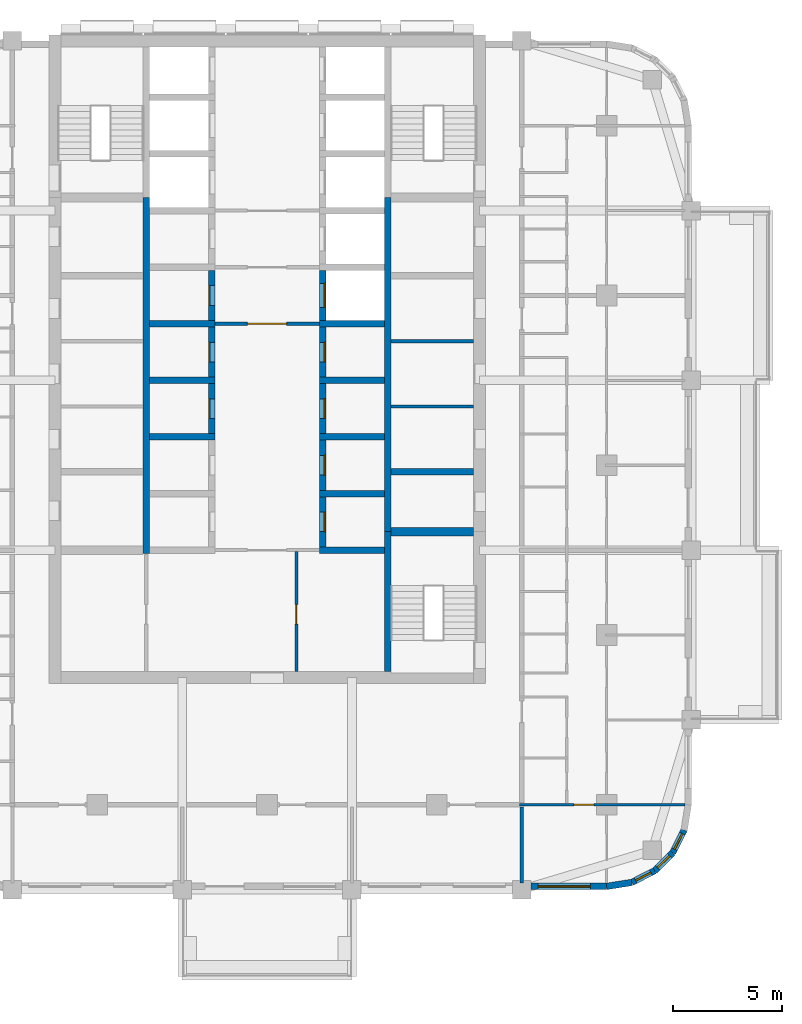
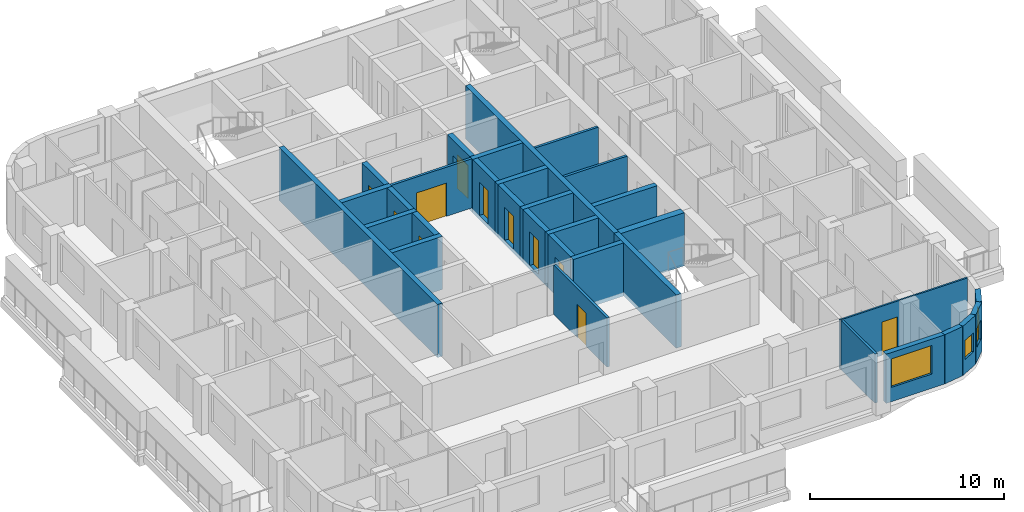
# One storey, part 5 of 14: 32 walls, 11 doors, 4 windows, 15 openings.
"""IFC4 building model written with IfcOpenShell, lengths in metres."""

import ifcopenshell
import ifcopenshell.guid

model = None  # the IFC model being written
_history = None  # IfcOwnerHistory: only IFC2X3 demands one
_inside = {}  # id of a spatial element -> (the spatial element, [elements in it])
_under = {}  # id of a project, library or spatial element -> (it, [spatial elements below it])
_declared = {}  # id of a project -> (the project, [libraries it declares])
_typed = {}  # id of a type object -> (the type object, [elements of that type])
_made_of = {}  # id of a material, layer set ... -> (it, [elements and type objects made of it])


def new_model(schema):
    """Start an empty IFC model of exactly this schema.

    Asked for "IFC4X3", IfcOpenShell would pick the latest addendum, in which some entities
    have other attributes; the version numbers below select the first issue.
    IFC2X3 requires an IfcOwnerHistory on every rooted entity: one is made here for all.
    """
    global model, _history
    if schema == "IFC4X3":
        model = ifcopenshell.file(schema_version=(4, 3, 0, 0))
    else:
        model = ifcopenshell.file(schema=schema)
    _inside.clear()
    _under.clear()
    _declared.clear()
    _typed.clear()
    _made_of.clear()
    _history = None
    if model.schema == "IFC2X3":
        org = make("IfcOrganization", Name="unknown")
        user = make(
            "IfcPersonAndOrganization",
            ThePerson=make("IfcPerson", FamilyName="unknown"),
            TheOrganization=org,
        )
        app = make(
            "IfcApplication",
            ApplicationDeveloper=org,
            Version="unknown",
            ApplicationFullName="unknown",
            ApplicationIdentifier="unknown",
        )
        _history = make(
            "IfcOwnerHistory",
            OwningUser=user,
            OwningApplication=app,
            ChangeAction="ADDED",
            CreationDate=0,
        )
    return model


def make(cls, **values):
    """One entity of the class cls with the attributes given. An attribute that is None is left unset."""
    return model.create_entity(
        cls, **{name: value for name, value in values.items() if value is not None}
    )


def rooted(cls, **values):
    """An entity with a GlobalId (a new one), such as an element, a storey or a relation."""
    return make(cls, GlobalId=ifcopenshell.guid.new(), OwnerHistory=_history, **values)


def si_unit(unit_type, name, prefix=None):
    """IfcSIUnit, for example si_unit("LENGTHUNIT", "METRE", prefix="MILLI")."""
    return make("IfcSIUnit", UnitType=unit_type, Prefix=prefix, Name=name)


def assignment(units):
    """IfcUnitAssignment: the units of a project."""
    return None if units is None else make("IfcUnitAssignment", Units=units)


def point(xyz):
    """IfcCartesianPoint."""
    return None if xyz is None else make("IfcCartesianPoint", Coordinates=xyz)


def direction(xyz):
    """IfcDirection."""
    return None if xyz is None else make("IfcDirection", DirectionRatios=xyz)


def frame(location, z_axis=None, x_axis=None):
    """IfcAxis2Placement3D, a coordinate frame: its origin and axes. An axis left out is left unset."""
    return make(
        "IfcAxis2Placement3D",
        Location=point(location),
        Axis=direction(z_axis),
        RefDirection=direction(x_axis),
    )


def frame_2d(location, x_axis=None):
    """IfcAxis2Placement2D, a coordinate frame in the plane: its origin and x axis."""
    return make(
        "IfcAxis2Placement2D", Location=point(location), RefDirection=direction(x_axis)
    )


def origin():
    """The frame at (0, 0, 0) with its axes left unset."""
    return frame((0.0, 0.0, 0.0))


def place(relative_to, where):
    """IfcLocalPlacement: puts the frame where relative to a parent placement (None: the world)."""
    return make(
        "IfcLocalPlacement", PlacementRelTo=relative_to, RelativePlacement=where
    )


def context(
    kind, dimensions, precision=None, world=None, true_north=None, identifier=None
):
    """IfcGeometricRepresentationContext, for example the 3D "Model" context."""
    return make(
        "IfcGeometricRepresentationContext",
        ContextIdentifier=identifier,
        ContextType=kind,
        CoordinateSpaceDimension=dimensions,
        Precision=precision,
        WorldCoordinateSystem=world,
        TrueNorth=true_north,
    )


def subcontext(parent, identifier, kind, view, scale=None):
    """IfcGeometricRepresentationSubContext, for example "Body" below "Model"."""
    return make(
        "IfcGeometricRepresentationSubContext",
        ContextIdentifier=identifier,
        ContextType=kind,
        ParentContext=parent,
        TargetScale=scale,
        TargetView=view,
    )


def project(units=None, contexts=None):
    """IfcProject with its units and contexts."""
    return rooted(
        "IfcProject",
        Name="project",
        RepresentationContexts=contexts,
        UnitsInContext=assignment(units),
    )


def spatial(cls, under=None, at=None, **own):
    """A site, building, storey or space (cls), placed at a placement, below another one or the project."""
    s = rooted(cls, ObjectPlacement=at, **own)
    if under is not None:
        _under.setdefault(under.id(), (under, []))[1].append(s)
    return s


def profile(cls, at=None, kind="AREA", **sizes):
    """A parametric profile (cls). Its sizes go by their IFC names, for example OverallWidth=200.0."""
    return make(cls, ProfileType=kind, Position=at, **sizes)


def rectangle(**sizes):
    """IfcRectangleProfileDef."""
    return profile("IfcRectangleProfileDef", **sizes)


def extrude(swept, where, along, depth):
    """IfcExtrudedAreaSolid: the profile swept, set in the frame where, extruded along a direction by depth."""
    return make(
        "IfcExtrudedAreaSolid",
        SweptArea=swept,
        Position=where,
        ExtrudedDirection=direction(along),
        Depth=depth,
    )


def shape(context_of_items, identifier, shape_type, items):
    """IfcShapeRepresentation: the items that make up one representation, for example the "Body"."""
    return make(
        "IfcShapeRepresentation",
        ContextOfItems=context_of_items,
        RepresentationIdentifier=identifier,
        RepresentationType=shape_type,
        Items=items,
    )


def material(Name=None, Category=None):
    """IfcMaterial."""
    return make("IfcMaterial", Name=Name, Category=Category)


def layer(
    of_material, thickness, ventilated=None, Name=None, Category=None, Priority=None
):
    """IfcMaterialLayer: one layer of a wall or slab, of a material (None: an air gap)."""
    return make(
        "IfcMaterialLayer",
        Material=of_material,
        LayerThickness=thickness,
        IsVentilated=ventilated,
        Name=Name,
        Category=Category,
        Priority=Priority,
    )


def layer_set(layers, Name=None):
    """IfcMaterialLayerSet."""
    return make("IfcMaterialLayerSet", MaterialLayers=layers, LayerSetName=Name)


def made_of(thing, what):
    """Note that an element or type object is made of a material, layer set ...; save() writes the relation."""
    if what is not None:
        _made_of.setdefault(what.id(), (what, []))[1].append(thing)
    return thing


def type_object(cls, material=None, **own):
    """A type object (cls), such as IfcWallType, which elements share."""
    return made_of(rooted(cls, **own), material)


def element(
    cls,
    number,
    at=None,
    inside=None,
    cuts=None,
    type_object=None,
    material=None,
    context=None,
    identifier="Body",
    shape_type=None,
    held_by="IfcProductDefinitionShape",
    body=None,
    shapes=None,
    **own,
):
    """One element of the class cls, such as IfcWall. Its Tag is "e" and its number.

    at: its placement. inside: the storey or other place that contains it. cuts: it is an
    opening in that element (IfcRelVoidsElement). A single representation is given by context,
    identifier, shape_type and body (its items); several are given by shapes. held_by: the class
    of the entity that holds the representations. save() writes the other relations.
    """
    e = rooted(cls, Tag="e%d" % number, ObjectPlacement=at, **own)
    if body is not None:
        shapes = [shape(context, identifier, shape_type, body)]
    if shapes is not None:
        e.Representation = make(held_by, Representations=shapes)
    if inside is not None:
        _inside.setdefault(inside.id(), (inside, []))[1].append(e)
    if cuts is not None:
        rooted(
            "IfcRelVoidsElement", RelatingBuildingElement=cuts, RelatedOpeningElement=e
        )
    if type_object is not None:
        _typed.setdefault(type_object.id(), (type_object, []))[1].append(e)
    return made_of(e, material)


def fill(opening, filler):
    """IfcRelFillsElement: the door or window that sits in an opening."""
    return rooted(
        "IfcRelFillsElement",
        RelatingOpeningElement=opening,
        RelatedBuildingElement=filler,
    )


def aggregate(whole, parts):
    """IfcRelAggregates: a whole, such as a stair, and the parts it consists of."""
    return rooted("IfcRelAggregates", RelatingObject=whole, RelatedObjects=parts)


def save(model, path):
    """Write the relations noted so far, then the file.

    IfcRelAggregates (storeys below a building ...), IfcRelContainedInSpatialStructure (elements
    in a storey), IfcRelDefinesByType, IfcRelAssociatesMaterial and IfcRelDeclares: one each for
    every whole, place, type object, material and project.
    """
    for whole, parts in _under.values():
        aggregate(whole, parts)
    for where, things in _inside.values():
        rooted(
            "IfcRelContainedInSpatialStructure",
            RelatedElements=things,
            RelatingStructure=where,
        )
    for kind, things in _typed.values():
        rooted("IfcRelDefinesByType", RelatedObjects=things, RelatingType=kind)
    for what, things in _made_of.values():
        rooted("IfcRelAssociatesMaterial", RelatedObjects=things, RelatingMaterial=what)
    for by, libraries in _declared.values():
        rooted("IfcRelDeclares", RelatingContext=by, RelatedDefinitions=libraries)
    model.write(path)


model = new_model("IFC4")

# Units and contexts
model_context = context("Model", 3, precision=1e-05, world=origin(), true_north=direction((0.0, 1.0)))
body_context = subcontext(model_context, "Body", "Model", "MODEL_VIEW")
ifc_project = project(units=[si_unit("LENGTHUNIT", "METRE"), si_unit("AREAUNIT", "SQUARE_METRE"), si_unit("VOLUMEUNIT", "CUBIC_METRE"), si_unit("PLANEANGLEUNIT", "RADIAN"), si_unit("MASSUNIT", "GRAM", prefix="KILO")], contexts=[model_context])

# Site, building, storey
site_placement = place(None, origin())
site = spatial("IfcSite", under=ifc_project, at=site_placement, CompositionType="ELEMENT")
building_placement = place(site_placement, origin())
building = spatial("IfcBuilding", under=site, at=building_placement, Name="Ludao Terraces", CompositionType="ELEMENT")
storey_placement = place(building_placement, frame((0.0, 0.0, 140.699951171875)))
storey = spatial("IfcBuildingStorey", under=building, at=storey_placement, Name="L38", CompositionType="ELEMENT", Elevation=140.699951171875)

# Wall, opening, window
ifc_material_1 = material(Name="Granite cladding", Category="masonry")
ifc_layer_1 = layer(ifc_material_1, 0.0400390625, Category="stone")
ifc_material_2 = material(Name="Mineral wool")
ifc_layer_2 = layer(ifc_material_2, 0.06005859375)
ifc_material_3 = material(Name="Concrete C40", Category="concrete")
ifc_layer_3 = layer(ifc_material_3, 0.199951171875, Category="concrete")
ifc_layer_set_1 = layer_set([ifc_layer_1, ifc_layer_2, ifc_layer_3], Name="ENV Stone-clad wall 300")
wall_type_1 = type_object("IfcWallType", Name="ENV Stone-clad wall 300", PredefinedType="SOLIDWALL", material=ifc_layer_set_1)
wall_1_placement = place(storey_placement, frame((97.125, 45.64990234375, 0.0), z_axis=(0.0, 0.0, 1.0), x_axis=(1.0, 0.0, 0.0)))
wall_1 = element("IfcWall", 1, at=wall_1_placement, inside=storey, type_object=wall_type_1, Name="EW-L38-S5", PredefinedType="SOLIDWALL", context=body_context, shape_type="SweptSolid", body=[
    extrude(rectangle(XDim=3.47509765625, YDim=0.300048828125, at=frame_2d((1.737548828125, 0.0))), origin(), (0.0, 0.0, 1.0), 3.10009765625),
])
opening_1_placement = place(wall_1_placement, frame((0.324951171875, 0.0, 0.89990234375)))
opening_1 = element("IfcOpeningElement", 2, at=opening_1_placement, cuts=wall_1, Name="Opening W1", PredefinedType="OPENING", context=body_context, shape_type="SweptSolid", body=[
    extrude(rectangle(XDim=2.39990234375, YDim=1.800048828125, at=frame_2d((1.199951171875, 0.89990234375))), frame((0.0, 0.16015625, 0.0), z_axis=(0.0, -1.0, 0.0), x_axis=(1.0, 0.0, 0.0)), (0.0, 0.0, 1.0), 0.320068359375),
])
ifc_material_4 = material(Name="Clear glass in aluminium frame", Category="aluminium")
ifc_layer_4 = layer(ifc_material_4, 0.06005859375)
ifc_layer_set_2 = layer_set([ifc_layer_4], Name="ENV Window W1 2400x1800")
window_type_1 = type_object("IfcWindowType", Name="ENV Window W1 2400x1800", PartitioningType="DOUBLE_PANEL_VERTICAL", PredefinedType="WINDOW", material=ifc_layer_set_2)
window_1_placement = place(opening_1_placement, origin())
window_1 = element("IfcWindow", 3, at=window_1_placement, inside=storey, type_object=window_type_1, Name="W-L38-S5-1", OverallHeight=1.800048828125, OverallWidth=2.39990234375, PartitioningType="DOUBLE_PANEL_VERTICAL", PredefinedType="WINDOW", context=body_context, shape_type="SweptSolid", body=[
    extrude(rectangle(XDim=2.39990234375, YDim=1.800048828125, at=frame_2d((1.199951171875, 0.89990234375))), frame((0.0, 0.030029296875, 0.0), z_axis=(0.0, -1.0, 0.0), x_axis=(1.0, 0.0, 0.0)), (0.0, 0.0, 1.0), 0.06005859375),
])
fill(opening_1, window_1)

# Wall
wall_2_placement = place(storey_placement, frame((100.60009765625, 45.64990234375, 0.0), z_axis=(0.0, 0.0, 1.0), x_axis=(0.987678452879, 0.156496880861, 0.0)))
element("IfcWall", 4, at=wall_2_placement, inside=storey, type_object=wall_type_1, Name="EW-L38-SE1", PredefinedType="SOLIDWALL", context=body_context, shape_type="SweptSolid", body=[
    extrude(rectangle(XDim=1.173095703125, YDim=0.300048828125, at=frame_2d((0.58642578125, 0.0))), origin(), (0.0, 0.0, 1.0), 3.10009765625),
])

# Wall, opening, window
wall_3_placement = place(storey_placement, frame((101.7587890625, 45.83349609375, 0.0), z_axis=(0.0, 0.0, 1.0), x_axis=(0.890988677504, 0.454025524128, 0.0)))
wall_3 = element("IfcWall", 5, at=wall_3_placement, inside=storey, type_object=wall_type_1, Name="EW-L38-SE2", PredefinedType="SOLIDWALL", context=body_context, shape_type="SweptSolid", body=[
    extrude(rectangle(XDim=1.17333984375, YDim=0.300048828125, at=frame_2d((0.586669921875, 0.0))), origin(), (0.0, 0.0, 1.0), 3.10009765625),
])
opening_2_placement = place(wall_3_placement, frame((0.1865234375, 0.0, 0.89990234375)))
opening_2 = element("IfcOpeningElement", 6, at=opening_2_placement, cuts=wall_3, Name="Opening W3", PredefinedType="OPENING", context=body_context, shape_type="SweptSolid", body=[
    extrude(rectangle(XDim=0.800048828125, YDim=1.199951171875, at=frame_2d((0.39990234375, 0.60009765625))), frame((0.0, 0.16015625, 0.0), z_axis=(0.0, -1.0, 0.0), x_axis=(1.0, 0.0, 0.0)), (0.0, 0.0, 1.0), 0.320068359375),
])
ifc_layer_5 = layer(ifc_material_4, 0.06005859375)
ifc_layer_set_3 = layer_set([ifc_layer_5], Name="ENV Window W3 800x1200")
window_type_2 = type_object("IfcWindowType", Name="ENV Window W3 800x1200", PartitioningType="SINGLE_PANEL", PredefinedType="WINDOW", material=ifc_layer_set_3)
window_2_placement = place(opening_2_placement, origin())
window_2 = element("IfcWindow", 7, at=window_2_placement, inside=storey, type_object=window_type_2, Name="W-L38-SE2", OverallHeight=1.199951171875, OverallWidth=0.800048828125, PartitioningType="SINGLE_PANEL", PredefinedType="WINDOW", context=body_context, shape_type="SweptSolid", body=[
    extrude(rectangle(XDim=0.800048828125, YDim=1.199951171875, at=frame_2d((0.39990234375, 0.60009765625))), frame((0.0, 0.030029296875, 0.0), z_axis=(0.0, -1.0, 0.0), x_axis=(1.0, 0.0, 0.0)), (0.0, 0.0, 1.0), 0.06005859375),
])
fill(opening_2, window_2)

wall_4_placement = place(storey_placement, frame((102.80419921875, 46.3662109375, 0.0), z_axis=(0.0, 0.0, 1.0), x_axis=(0.707106781187, 0.707106781187, 0.0)))
wall_4 = element("IfcWall", 8, at=wall_4_placement, inside=storey, type_object=wall_type_1, Name="EW-L38-SE3", PredefinedType="SOLIDWALL", context=body_context, shape_type="SweptSolid", body=[
    extrude(rectangle(XDim=1.173095703125, YDim=0.300048828125, at=frame_2d((0.58642578125, 0.0))), origin(), (0.0, 0.0, 1.0), 3.10009765625),
])
opening_3_placement = place(wall_4_placement, frame((0.1865234375, 0.0, 0.89990234375)))
opening_3 = element("IfcOpeningElement", 9, at=opening_3_placement, cuts=wall_4, Name="Opening W3", PredefinedType="OPENING", context=body_context, shape_type="SweptSolid", body=[
    extrude(rectangle(XDim=0.800048828125, YDim=1.199951171875, at=frame_2d((0.39990234375, 0.60009765625))), frame((0.0, 0.16015625, 0.0), z_axis=(0.0, -1.0, 0.0), x_axis=(1.0, 0.0, 0.0)), (0.0, 0.0, 1.0), 0.320068359375),
])
window_3_placement = place(opening_3_placement, origin())
window_3 = element("IfcWindow", 10, at=window_3_placement, inside=storey, type_object=window_type_2, Name="W-L38-SE3", OverallHeight=1.199951171875, OverallWidth=0.800048828125, PartitioningType="SINGLE_PANEL", PredefinedType="WINDOW", context=body_context, shape_type="SweptSolid", body=[
    extrude(rectangle(XDim=0.800048828125, YDim=1.199951171875, at=frame_2d((0.39990234375, 0.60009765625))), frame((0.0, 0.030029296875, 0.0), z_axis=(0.0, -1.0, 0.0), x_axis=(1.0, 0.0, 0.0)), (0.0, 0.0, 1.0), 0.06005859375),
])
fill(opening_3, window_3)

wall_5_placement = place(storey_placement, frame((103.6337890625, 47.19580078125, 0.0), z_axis=(0.0, 0.0, 1.0), x_axis=(0.454025524128, 0.890988677504, 0.0)))
wall_5 = element("IfcWall", 11, at=wall_5_placement, inside=storey, type_object=wall_type_1, Name="EW-L38-SE4", PredefinedType="SOLIDWALL", context=body_context, shape_type="SweptSolid", body=[
    extrude(rectangle(XDim=1.17333984375, YDim=0.300048828125, at=frame_2d((0.586669921875, 0.0))), origin(), (0.0, 0.0, 1.0), 3.10009765625),
])
opening_4_placement = place(wall_5_placement, frame((0.1865234375, 0.0, 0.89990234375)))
opening_4 = element("IfcOpeningElement", 12, at=opening_4_placement, cuts=wall_5, Name="Opening W3", PredefinedType="OPENING", context=body_context, shape_type="SweptSolid", body=[
    extrude(rectangle(XDim=0.800048828125, YDim=1.199951171875, at=frame_2d((0.39990234375, 0.60009765625))), frame((0.0, 0.16015625, 0.0), z_axis=(0.0, -1.0, 0.0), x_axis=(1.0, 0.0, 0.0)), (0.0, 0.0, 1.0), 0.320068359375),
])
window_4_placement = place(opening_4_placement, origin())
window_4 = element("IfcWindow", 13, at=window_4_placement, inside=storey, type_object=window_type_2, Name="W-L38-SE4", OverallHeight=1.199951171875, OverallWidth=0.800048828125, PartitioningType="SINGLE_PANEL", PredefinedType="WINDOW", context=body_context, shape_type="SweptSolid", body=[
    extrude(rectangle(XDim=0.800048828125, YDim=1.199951171875, at=frame_2d((0.39990234375, 0.60009765625))), frame((0.0, 0.030029296875, 0.0), z_axis=(0.0, -1.0, 0.0), x_axis=(1.0, 0.0, 0.0)), (0.0, 0.0, 1.0), 0.06005859375),
])
fill(opening_4, window_4)

# Walls
ifc_material_5 = material(Name="Fire-rated gypsum plasterboard", Category="gypsum")
ifc_layer_6 = layer(ifc_material_5, 0.012451171875, Category="gypsum")
ifc_layer_7 = layer(ifc_material_2, 0.10009765625, Name="insulation")
ifc_material_6 = material(Name="Steel Q235", Category="steel")
ifc_layer_8 = layer(ifc_material_6, 0.02490234375, Name="stud")
ifc_layer_9 = layer(ifc_material_5, 0.012451171875, Category="gypsum")
ifc_layer_set_4 = layer_set([ifc_layer_6, ifc_layer_7, ifc_layer_8, ifc_layer_9], Name="INT Core partition 150")
wall_type_2 = type_object("IfcWallType", Name="INT Core partition 150", PredefinedType="PARTITIONING", material=ifc_layer_set_4)
for number, where, z_axis, x_axis, name in (
    (14, (90.7001953125, 67.699951171875, 0.0), (0.0, 0.0, 1.0), (1.0, 0.0, 0.0), "PW-L38-PW027"),
    (15, (90.7001953125, 70.699951171875, 0.0), (0.0, 0.0, 1.0), (1.0, 0.0, 0.0), "PW-L38-PW033"),
):
    element("IfcWall", number, at=place(storey_placement, frame(where, z_axis=z_axis, x_axis=x_axis)), inside=storey, type_object=wall_type_2, Name=name, PredefinedType="PARTITIONING", context=body_context, shape_type="SweptSolid", body=[
        extrude(rectangle(XDim=3.77490234375, YDim=0.14990234375, at=frame_2d((1.887451171875, 0.0))), origin(), (0.0, 0.0, 1.0), 3.10009765625),
    ])

# Wall, opening, door
wall_6_placement = place(storey_placement, frame((82.60009765625, 71.5, 0.0), z_axis=(0.0, 0.0, 1.0), x_axis=(1.0, 0.0, 0.0)))
wall_6 = element("IfcWall", 16, at=wall_6_placement, inside=storey, type_object=wall_type_2, Name="PW-L38-PW036", PredefinedType="PARTITIONING", context=body_context, shape_type="SweptSolid", body=[
    extrude(rectangle(XDim=4.800048828125, YDim=0.14990234375, at=frame_2d((2.39990234375, 0.0))), origin(), (0.0, 0.0, 1.0), 3.10009765625),
])
opening_5_placement = place(wall_6_placement, frame((1.5, 0.0, 0.0)))
opening_5 = element("IfcOpeningElement", 17, at=opening_5_placement, cuts=wall_6, Name="Opening R13-057", PredefinedType="OPENING", context=body_context, shape_type="SweptSolid", body=[
    extrude(rectangle(XDim=1.800048828125, YDim=2.10009765625, at=frame_2d((0.89990234375, 1.050048828125))), frame((0.0, 0.0849609375, 0.0), z_axis=(0.0, -1.0, 0.0), x_axis=(1.0, 0.0, 0.0)), (0.0, 0.0, 1.0), 0.169921875),
])
door_type_1 = type_object("IfcDoorType", Name="INT Fire lobby door 1800", OperationType="DOUBLE_DOOR_SINGLE_SWING", PredefinedType="DOOR", material=ifc_material_6)
door_1_placement = place(opening_5_placement, origin())
door_1 = element("IfcDoor", 18, at=door_1_placement, inside=storey, type_object=door_type_1, Name="DOOR 057", OperationType="DOUBLE_DOOR_SINGLE_SWING", OverallHeight=2.10009765625, OverallWidth=1.800048828125, PredefinedType="DOOR", context=body_context, shape_type="SweptSolid", body=[
    extrude(rectangle(XDim=1.800048828125, YDim=2.10009765625, at=frame_2d((0.89990234375, 1.050048828125))), frame((0.0, 0.02490234375, 0.0), z_axis=(0.0, -1.0, 0.0), x_axis=(1.0, 0.0, 0.0)), (0.0, 0.0, 1.0), 0.050048828125),
])
fill(opening_5, door_1)

wall_7_placement = place(storey_placement, frame((86.35009765625, 55.525146484375, 0.0), z_axis=(0.0, 0.0, 1.0), x_axis=(0.0, 1.0, 0.0)))
wall_7 = element("IfcWall", 19, at=wall_7_placement, inside=storey, type_object=wall_type_2, Name="PW-L38-PW060", PredefinedType="PARTITIONING", context=body_context, shape_type="SweptSolid", body=[
    extrude(rectangle(XDim=5.5, YDim=0.14990234375, at=frame_2d((2.75, 0.0))), origin(), (0.0, 0.0, 1.0), 3.10009765625),
])
opening_6_placement = place(wall_7_placement, frame((2.175048828125, 0.0, 0.0)))
opening_6 = element("IfcOpeningElement", 20, at=opening_6_placement, cuts=wall_7, Name="Opening R13-024", PredefinedType="OPENING", context=body_context, shape_type="SweptSolid", body=[
    extrude(rectangle(XDim=0.89990234375, YDim=2.10009765625, at=frame_2d((0.449951171875, 1.050048828125))), frame((0.0, 0.0849609375, 0.0), z_axis=(0.0, -1.0, 0.0), x_axis=(1.0, 0.0, 0.0)), (0.0, 0.0, 1.0), 0.169921875),
])
ifc_material_7 = material(Name="Timber door leaf", Category="wood")
door_type_2 = type_object("IfcDoorType", Name="INT Room door 900", OperationType="SINGLE_SWING_LEFT", PredefinedType="DOOR", material=ifc_material_7)
door_2_placement = place(opening_6_placement, origin())
door_2 = element("IfcDoor", 21, at=door_2_placement, inside=storey, type_object=door_type_2, Name="DOOR 024", OperationType="SINGLE_SWING_RIGHT", OverallHeight=2.10009765625, OverallWidth=0.89990234375, PredefinedType="DOOR", context=body_context, shape_type="SweptSolid", body=[
    extrude(rectangle(XDim=0.89990234375, YDim=2.10009765625, at=frame_2d((0.449951171875, 1.050048828125))), frame((0.0, 0.02490234375, 0.0), z_axis=(0.0, -1.0, 0.0), x_axis=(1.0, 0.0, 0.0)), (0.0, 0.0, 1.0), 0.050048828125),
])
fill(opening_6, door_2)

ifc_material_8 = material(Name="Gypsum plasterboard", Category="gypsum")
ifc_layer_10 = layer(ifc_material_8, 0.012451171875, Category="gypsum")
ifc_layer_11 = layer(ifc_material_2, 0.06005859375, Name="insulation")
ifc_layer_12 = layer(ifc_material_6, 0.014892578125, Name="stud")
ifc_layer_13 = layer(ifc_material_8, 0.012451171875, Category="gypsum")
ifc_layer_set_5 = layer_set([ifc_layer_10, ifc_layer_11, ifc_layer_12, ifc_layer_13], Name="INT Partition 100")
wall_type_3 = type_object("IfcWallType", Name="INT Partition 100", PredefinedType="PARTITIONING", material=ifc_layer_set_5)
wall_8_placement = place(storey_placement, frame((96.60009765625, 49.39990234375, 0.0), z_axis=(0.0, 0.0, 1.0), x_axis=(1.0, 0.0, 0.0)))
wall_8 = element("IfcWall", 22, at=wall_8_placement, inside=storey, type_object=wall_type_3, Name="PW-L38-PW002", PredefinedType="PARTITIONING", context=body_context, shape_type="SweptSolid", body=[
    extrude(rectangle(XDim=7.60009765625, YDim=0.10009765625, at=frame_2d((3.800048828125, 0.0))), origin(), (0.0, 0.0, 1.0), 3.10009765625),
])
opening_7_placement = place(wall_8_placement, frame((2.510009765625, 0.0, 0.0)))
opening_7 = element("IfcOpeningElement", 23, at=opening_7_placement, cuts=wall_8, Name="Opening R13-007", PredefinedType="OPENING", context=body_context, shape_type="SweptSolid", body=[
    extrude(rectangle(XDim=0.89990234375, YDim=2.10009765625, at=frame_2d((0.449951171875, 1.050048828125))), frame((0.0, 0.06005859375, 0.0), z_axis=(0.0, -1.0, 0.0), x_axis=(1.0, 0.0, 0.0)), (0.0, 0.0, 1.0), 0.1201171875),
])
door_3_placement = place(opening_7_placement, origin())
door_3 = element("IfcDoor", 24, at=door_3_placement, inside=storey, type_object=door_type_2, Name="DOOR 007", OperationType="SINGLE_SWING_LEFT", OverallHeight=2.10009765625, OverallWidth=0.89990234375, PredefinedType="DOOR", context=body_context, shape_type="SweptSolid", body=[
    extrude(rectangle(XDim=0.89990234375, YDim=2.10009765625, at=frame_2d((0.449951171875, 1.050048828125))), frame((0.0, 0.02490234375, 0.0), z_axis=(0.0, -1.0, 0.0), x_axis=(1.0, 0.0, 0.0)), (0.0, 0.0, 1.0), 0.050048828125),
])
fill(opening_7, door_3)

# Walls
ifc_material_9 = material(Name="Autoclaved aerated concrete block B06 A3.5", Category="concrete")
ifc_layer_14 = layer(ifc_material_9, 0.14990234375)
ifc_layer_set_6 = layer_set([ifc_layer_14], Name="INT Party wall 150")
wall_type_4 = type_object("IfcWallType", Name="INT Party wall 150", PredefinedType="PARTITIONING", material=ifc_layer_set_6)
wall_9_placement = place(storey_placement, frame((96.699951171875, 45.800048828125, 0.0), z_axis=(0.0, 0.0, 1.0), x_axis=(0.0, 1.0, 0.0)))
element("IfcWall", 25, at=wall_9_placement, inside=storey, type_object=wall_type_4, Name="PW-L38-PW062", PredefinedType="PARTITIONING", context=body_context, shape_type="SweptSolid", body=[
    extrude(rectangle(XDim=3.5, YDim=0.14990234375, at=frame_2d((1.75, 0.0))), origin(), (0.0, 0.0, 1.0), 3.10009765625),
])
ifc_material_10 = material(Name="Concrete C55", Category="concrete")
ifc_layer_15 = layer(ifc_material_10, 0.300048828125)
ifc_layer_set_7 = layer_set([ifc_layer_15], Name="Shaft wall 300 C55")
wall_type_5 = type_object("IfcWallType", Name="Shaft wall 300 C55", PredefinedType="SOLIDWALL", material=ifc_layer_set_7)
wall_10_placement = place(storey_placement, frame((79.449951171875, 60.949951171875, -0.25), z_axis=(0.0, 0.0, 1.0), x_axis=(0.0, 1.0, 0.0)))
element("IfcWall", 26, at=wall_10_placement, inside=storey, type_object=wall_type_5, Name="Core wall L38 back-W", PredefinedType="SOLIDWALL", context=body_context, shape_type="SweptSolid", body=[
    extrude(rectangle(XDim=16.35009765625, YDim=0.300048828125, at=frame_2d((8.175048828125, 0.0))), origin(), (0.0, 0.0, 1.0), 3.35009765625),
])
wall_11_placement = place(storey_placement, frame((90.550048828125, 55.52490234375, -0.25), z_axis=(0.0, 0.0, 1.0), x_axis=(0.0, 1.0, 0.0)))
element("IfcWall", 27, at=wall_11_placement, inside=storey, type_object=wall_type_5, Name="Core wall L38 back-E-S3", PredefinedType="SOLIDWALL", context=body_context, shape_type="SweptSolid", body=[
    extrude(rectangle(XDim=6.425048828125, YDim=0.300048828125, at=frame_2d((3.21240234375, 0.0))), origin(), (0.0, 0.0, 1.0), 3.35009765625),
])
wall_12_placement = place(storey_placement, frame((90.550048828125, 61.949951171875, -0.25), z_axis=(0.0, 0.0, 1.0), x_axis=(0.0, 1.0, 0.0)))
element("IfcWall", 28, at=wall_12_placement, inside=storey, type_object=wall_type_5, Name="Core wall L38 back-E", PredefinedType="SOLIDWALL", context=body_context, shape_type="SweptSolid", body=[
    extrude(rectangle(XDim=15.35009765625, YDim=0.300048828125, at=frame_2d((7.675048828125, 0.0))), origin(), (0.0, 0.0, 1.0), 3.35009765625),
])
wall_13_placement = place(storey_placement, frame((79.60009765625, 66.300048828125, -0.25), z_axis=(0.0, 0.0, 1.0), x_axis=(1.0, 0.0, 0.0)))
element("IfcWall", 29, at=wall_13_placement, inside=storey, type_object=wall_type_5, Name="Core wall L38 div-W3", PredefinedType="SOLIDWALL", context=body_context, shape_type="SweptSolid", body=[
    extrude(rectangle(XDim=3.0, YDim=0.300048828125, at=frame_2d((1.5, 0.0))), origin(), (0.0, 0.0, 1.0), 3.35009765625),
])

# Wall, opening, door
wall_14_placement = place(storey_placement, frame((82.449951171875, 66.449951171875, -0.25), z_axis=(0.0, 0.0, 1.0), x_axis=(0.0, 1.0, 0.0)))
wall_14 = element("IfcWall", 30, at=wall_14_placement, inside=storey, type_object=wall_type_5, Name="Core wall L38 front-W3", PredefinedType="SOLIDWALL", context=body_context, shape_type="SweptSolid", body=[
    extrude(rectangle(XDim=2.300048828125, YDim=0.300048828125, at=frame_2d((1.14990234375, 0.0))), origin(), (0.0, 0.0, 1.0), 3.35009765625),
])
opening_8_placement = place(wall_14_placement, frame((0.699951171875, 0.0, 0.25)))
opening_8 = element("IfcOpeningElement", 31, at=opening_8_placement, cuts=wall_14, Name="Opening R13-047", PredefinedType="OPENING", context=body_context, shape_type="SweptSolid", body=[
    extrude(rectangle(XDim=0.89990234375, YDim=2.10009765625, at=frame_2d((0.449951171875, 1.050048828125))), frame((0.0, 0.16015625, 0.0), z_axis=(0.0, -1.0, 0.0), x_axis=(1.0, 0.0, 0.0)), (0.0, 0.0, 1.0), 0.320068359375),
])
door_4_placement = place(opening_8_placement, origin())
door_4 = element("IfcDoor", 32, at=door_4_placement, inside=storey, type_object=door_type_2, Name="DOOR 047", OperationType="SINGLE_SWING_RIGHT", OverallHeight=2.10009765625, OverallWidth=0.89990234375, PredefinedType="DOOR", context=body_context, shape_type="SweptSolid", body=[
    extrude(rectangle(XDim=0.89990234375, YDim=2.10009765625, at=frame_2d((0.449951171875, 1.050048828125))), frame((0.0, 0.13525390625, 0.0), z_axis=(0.0, -1.0, 0.0), x_axis=(1.0, 0.0, 0.0)), (0.0, 0.0, 1.0), 0.050048828125),
])
fill(opening_8, door_4)

# Wall
wall_15_placement = place(storey_placement, frame((79.60009765625, 68.89990234375, -0.25), z_axis=(0.0, 0.0, 1.0), x_axis=(1.0, 0.0, 0.0)))
element("IfcWall", 33, at=wall_15_placement, inside=storey, type_object=wall_type_5, Name="Core wall L38 div-W4", PredefinedType="SOLIDWALL", context=body_context, shape_type="SweptSolid", body=[
    extrude(rectangle(XDim=3.0, YDim=0.300048828125, at=frame_2d((1.5, 0.0))), origin(), (0.0, 0.0, 1.0), 3.35009765625),
])

# Wall, opening, door
wall_16_placement = place(storey_placement, frame((82.449951171875, 69.050048828125, -0.25), z_axis=(0.0, 0.0, 1.0), x_axis=(0.0, 1.0, 0.0)))
wall_16 = element("IfcWall", 34, at=wall_16_placement, inside=storey, type_object=wall_type_5, Name="Core wall L38 front-W4", PredefinedType="SOLIDWALL", context=body_context, shape_type="SweptSolid", body=[
    extrude(rectangle(XDim=2.300048828125, YDim=0.300048828125, at=frame_2d((1.14990234375, 0.0))), origin(), (0.0, 0.0, 1.0), 3.35009765625),
])
opening_9_placement = place(wall_16_placement, frame((0.699951171875, 0.0, 0.25)))
opening_9 = element("IfcOpeningElement", 35, at=opening_9_placement, cuts=wall_16, Name="Opening R13-053", PredefinedType="OPENING", context=body_context, shape_type="SweptSolid", body=[
    extrude(rectangle(XDim=0.89990234375, YDim=2.10009765625, at=frame_2d((0.449951171875, 1.050048828125))), frame((0.0, 0.16015625, 0.0), z_axis=(0.0, -1.0, 0.0), x_axis=(1.0, 0.0, 0.0)), (0.0, 0.0, 1.0), 0.320068359375),
])
door_5_placement = place(opening_9_placement, origin())
door_5 = element("IfcDoor", 36, at=door_5_placement, inside=storey, type_object=door_type_2, Name="DOOR 053", OperationType="SINGLE_SWING_LEFT", OverallHeight=2.10009765625, OverallWidth=0.89990234375, PredefinedType="DOOR", context=body_context, shape_type="SweptSolid", body=[
    extrude(rectangle(XDim=0.89990234375, YDim=2.10009765625, at=frame_2d((0.449951171875, 1.050048828125))), frame((0.0, 0.13525390625, 0.0), z_axis=(0.0, -1.0, 0.0), x_axis=(1.0, 0.0, 0.0)), (0.0, 0.0, 1.0), 0.050048828125),
])
fill(opening_9, door_5)

# Wall
wall_17_placement = place(storey_placement, frame((79.60009765625, 71.5, -0.25), z_axis=(0.0, 0.0, 1.0), x_axis=(1.0, 0.0, 0.0)))
element("IfcWall", 37, at=wall_17_placement, inside=storey, type_object=wall_type_5, Name="Core wall L38 div-W5", PredefinedType="SOLIDWALL", context=body_context, shape_type="SweptSolid", body=[
    extrude(rectangle(XDim=3.0, YDim=0.300048828125, at=frame_2d((1.5, 0.0))), origin(), (0.0, 0.0, 1.0), 3.35009765625),
])

# Wall, opening, door
wall_18_placement = place(storey_placement, frame((82.449951171875, 71.64990234375, -0.25), z_axis=(0.0, 0.0, 1.0), x_axis=(0.0, 1.0, 0.0)))
wall_18 = element("IfcWall", 38, at=wall_18_placement, inside=storey, type_object=wall_type_5, Name="Core wall L38 front-W5", PredefinedType="SOLIDWALL", context=body_context, shape_type="SweptSolid", body=[
    extrude(rectangle(XDim=2.300048828125, YDim=0.300048828125, at=frame_2d((1.14990234375, 0.0))), origin(), (0.0, 0.0, 1.0), 3.35009765625),
])
opening_10_placement = place(wall_18_placement, frame((0.699951171875, 0.0, 0.25)))
opening_10 = element("IfcOpeningElement", 39, at=opening_10_placement, cuts=wall_18, Name="Opening R13-064", PredefinedType="OPENING", context=body_context, shape_type="SweptSolid", body=[
    extrude(rectangle(XDim=0.89990234375, YDim=2.10009765625, at=frame_2d((0.449951171875, 1.050048828125))), frame((0.0, 0.16015625, 0.0), z_axis=(0.0, -1.0, 0.0), x_axis=(1.0, 0.0, 0.0)), (0.0, 0.0, 1.0), 0.320068359375),
])
door_6_placement = place(opening_10_placement, origin())
door_6 = element("IfcDoor", 40, at=door_6_placement, inside=storey, type_object=door_type_2, Name="DOOR 064", OperationType="SINGLE_SWING_LEFT", OverallHeight=2.10009765625, OverallWidth=0.89990234375, PredefinedType="DOOR", context=body_context, shape_type="SweptSolid", body=[
    extrude(rectangle(XDim=0.89990234375, YDim=2.10009765625, at=frame_2d((0.449951171875, 1.050048828125))), frame((0.0, 0.13525390625, 0.0), z_axis=(0.0, -1.0, 0.0), x_axis=(1.0, 0.0, 0.0)), (0.0, 0.0, 1.0), 0.050048828125),
])
fill(opening_10, door_6)

# Wall
wall_19_placement = place(storey_placement, frame((87.39990234375, 61.10009765625, -0.25), z_axis=(0.0, 0.0, 1.0), x_axis=(1.0, 0.0, 0.0)))
element("IfcWall", 41, at=wall_19_placement, inside=storey, type_object=wall_type_5, Name="Core wall L38 div-E1", PredefinedType="SOLIDWALL", context=body_context, shape_type="SweptSolid", body=[
    extrude(rectangle(XDim=3.0, YDim=0.300048828125, at=frame_2d((1.5, 0.0))), origin(), (0.0, 0.0, 1.0), 3.35009765625),
])

# Wall, opening, door
wall_20_placement = place(storey_placement, frame((87.550048828125, 61.25, -0.25), z_axis=(0.0, 0.0, 1.0), x_axis=(0.0, 1.0, 0.0)))
wall_20 = element("IfcWall", 42, at=wall_20_placement, inside=storey, type_object=wall_type_5, Name="Core wall L38 front-E1", PredefinedType="SOLIDWALL", context=body_context, shape_type="SweptSolid", body=[
    extrude(rectangle(XDim=2.300048828125, YDim=0.300048828125, at=frame_2d((1.14990234375, 0.0))), origin(), (0.0, 0.0, 1.0), 3.35009765625),
])
opening_11_placement = place(wall_20_placement, frame((0.699951171875, 0.0, 0.25)))
opening_11 = element("IfcOpeningElement", 43, at=opening_11_placement, cuts=wall_20, Name="Opening R13-032", PredefinedType="OPENING", context=body_context, shape_type="SweptSolid", body=[
    extrude(rectangle(XDim=0.89990234375, YDim=2.10009765625, at=frame_2d((0.449951171875, 1.050048828125))), frame((0.0, 0.16015625, 0.0), z_axis=(0.0, -1.0, 0.0), x_axis=(1.0, 0.0, 0.0)), (0.0, 0.0, 1.0), 0.320068359375),
])
door_7_placement = place(opening_11_placement, origin())
door_7 = element("IfcDoor", 44, at=door_7_placement, inside=storey, type_object=door_type_2, Name="DOOR 032", OperationType="SINGLE_SWING_LEFT", OverallHeight=2.10009765625, OverallWidth=0.89990234375, PredefinedType="DOOR", context=body_context, shape_type="SweptSolid", body=[
    extrude(rectangle(XDim=0.89990234375, YDim=2.10009765625, at=frame_2d((0.449951171875, 1.050048828125))), frame((0.0, -0.0849609375, 0.0), z_axis=(0.0, -1.0, 0.0), x_axis=(1.0, 0.0, 0.0)), (0.0, 0.0, 1.0), 0.050048828125),
])
fill(opening_11, door_7)

# Wall
wall_21_placement = place(storey_placement, frame((87.39990234375, 63.699951171875, -0.25), z_axis=(0.0, 0.0, 1.0), x_axis=(1.0, 0.0, 0.0)))
element("IfcWall", 45, at=wall_21_placement, inside=storey, type_object=wall_type_5, Name="Core wall L38 div-E2", PredefinedType="SOLIDWALL", context=body_context, shape_type="SweptSolid", body=[
    extrude(rectangle(XDim=3.0, YDim=0.300048828125, at=frame_2d((1.5, 0.0))), origin(), (0.0, 0.0, 1.0), 3.35009765625),
])

# Wall, opening, door
wall_22_placement = place(storey_placement, frame((87.550048828125, 63.85009765625, -0.25), z_axis=(0.0, 0.0, 1.0), x_axis=(0.0, 1.0, 0.0)))
wall_22 = element("IfcWall", 46, at=wall_22_placement, inside=storey, type_object=wall_type_5, Name="Core wall L38 front-E2", PredefinedType="SOLIDWALL", context=body_context, shape_type="SweptSolid", body=[
    extrude(rectangle(XDim=2.2998046875, YDim=0.300048828125, at=frame_2d((1.14990234375, 0.0))), origin(), (0.0, 0.0, 1.0), 3.35009765625),
])
opening_12_placement = place(wall_22_placement, frame((0.699951171875, 0.0, 0.25)))
opening_12 = element("IfcOpeningElement", 47, at=opening_12_placement, cuts=wall_22, Name="Opening R13-040", PredefinedType="OPENING", context=body_context, shape_type="SweptSolid", body=[
    extrude(rectangle(XDim=0.89990234375, YDim=2.10009765625, at=frame_2d((0.449951171875, 1.050048828125))), frame((0.0, 0.16015625, 0.0), z_axis=(0.0, -1.0, 0.0), x_axis=(1.0, 0.0, 0.0)), (0.0, 0.0, 1.0), 0.320068359375),
])
door_8_placement = place(opening_12_placement, origin())
door_8 = element("IfcDoor", 48, at=door_8_placement, inside=storey, type_object=door_type_2, Name="DOOR 040", OperationType="SINGLE_SWING_RIGHT", OverallHeight=2.10009765625, OverallWidth=0.89990234375, PredefinedType="DOOR", context=body_context, shape_type="SweptSolid", body=[
    extrude(rectangle(XDim=0.89990234375, YDim=2.10009765625, at=frame_2d((0.449951171875, 1.050048828125))), frame((0.0, -0.0849609375, 0.0), z_axis=(0.0, -1.0, 0.0), x_axis=(1.0, 0.0, 0.0)), (0.0, 0.0, 1.0), 0.050048828125),
])
fill(opening_12, door_8)

# Wall
wall_23_placement = place(storey_placement, frame((87.39990234375, 66.300048828125, -0.25), z_axis=(0.0, 0.0, 1.0), x_axis=(1.0, 0.0, 0.0)))
element("IfcWall", 49, at=wall_23_placement, inside=storey, type_object=wall_type_5, Name="Core wall L38 div-E3", PredefinedType="SOLIDWALL", context=body_context, shape_type="SweptSolid", body=[
    extrude(rectangle(XDim=3.0, YDim=0.300048828125, at=frame_2d((1.5, 0.0))), origin(), (0.0, 0.0, 1.0), 3.35009765625),
])

# Wall, opening, door
wall_24_placement = place(storey_placement, frame((87.550048828125, 66.449951171875, -0.25), z_axis=(0.0, 0.0, 1.0), x_axis=(0.0, 1.0, 0.0)))
wall_24 = element("IfcWall", 50, at=wall_24_placement, inside=storey, type_object=wall_type_5, Name="Core wall L38 front-E3", PredefinedType="SOLIDWALL", context=body_context, shape_type="SweptSolid", body=[
    extrude(rectangle(XDim=2.300048828125, YDim=0.300048828125, at=frame_2d((1.14990234375, 0.0))), origin(), (0.0, 0.0, 1.0), 3.35009765625),
])
opening_13_placement = place(wall_24_placement, frame((0.699951171875, 0.0, 0.25)))
opening_13 = element("IfcOpeningElement", 51, at=opening_13_placement, cuts=wall_24, Name="Opening R13-048", PredefinedType="OPENING", context=body_context, shape_type="SweptSolid", body=[
    extrude(rectangle(XDim=0.89990234375, YDim=2.10009765625, at=frame_2d((0.449951171875, 1.050048828125))), frame((0.0, 0.16015625, 0.0), z_axis=(0.0, -1.0, 0.0), x_axis=(1.0, 0.0, 0.0)), (0.0, 0.0, 1.0), 0.320068359375),
])
door_9_placement = place(opening_13_placement, origin())
door_9 = element("IfcDoor", 52, at=door_9_placement, inside=storey, type_object=door_type_2, Name="DOOR 048", OperationType="SINGLE_SWING_LEFT", OverallHeight=2.10009765625, OverallWidth=0.89990234375, PredefinedType="DOOR", context=body_context, shape_type="SweptSolid", body=[
    extrude(rectangle(XDim=0.89990234375, YDim=2.10009765625, at=frame_2d((0.449951171875, 1.050048828125))), frame((0.0, -0.0849609375, 0.0), z_axis=(0.0, -1.0, 0.0), x_axis=(1.0, 0.0, 0.0)), (0.0, 0.0, 1.0), 0.050048828125),
])
fill(opening_13, door_9)

# Wall
wall_25_placement = place(storey_placement, frame((87.39990234375, 68.89990234375, -0.25), z_axis=(0.0, 0.0, 1.0), x_axis=(1.0, 0.0, 0.0)))
element("IfcWall", 53, at=wall_25_placement, inside=storey, type_object=wall_type_5, Name="Core wall L38 div-E4", PredefinedType="SOLIDWALL", context=body_context, shape_type="SweptSolid", body=[
    extrude(rectangle(XDim=3.0, YDim=0.300048828125, at=frame_2d((1.5, 0.0))), origin(), (0.0, 0.0, 1.0), 3.35009765625),
])

# Wall, opening, door
wall_26_placement = place(storey_placement, frame((87.550048828125, 69.050048828125, -0.25), z_axis=(0.0, 0.0, 1.0), x_axis=(0.0, 1.0, 0.0)))
wall_26 = element("IfcWall", 54, at=wall_26_placement, inside=storey, type_object=wall_type_5, Name="Core wall L38 front-E4", PredefinedType="SOLIDWALL", context=body_context, shape_type="SweptSolid", body=[
    extrude(rectangle(XDim=2.300048828125, YDim=0.300048828125, at=frame_2d((1.14990234375, 0.0))), origin(), (0.0, 0.0, 1.0), 3.35009765625),
])
opening_14_placement = place(wall_26_placement, frame((0.699951171875, 0.0, 0.25)))
opening_14 = element("IfcOpeningElement", 55, at=opening_14_placement, cuts=wall_26, Name="Opening R13-054", PredefinedType="OPENING", context=body_context, shape_type="SweptSolid", body=[
    extrude(rectangle(XDim=0.89990234375, YDim=2.10009765625, at=frame_2d((0.449951171875, 1.050048828125))), frame((0.0, 0.16015625, 0.0), z_axis=(0.0, -1.0, 0.0), x_axis=(1.0, 0.0, 0.0)), (0.0, 0.0, 1.0), 0.320068359375),
])
door_10_placement = place(opening_14_placement, origin())
door_10 = element("IfcDoor", 56, at=door_10_placement, inside=storey, type_object=door_type_2, Name="DOOR 054", OperationType="SINGLE_SWING_RIGHT", OverallHeight=2.10009765625, OverallWidth=0.89990234375, PredefinedType="DOOR", context=body_context, shape_type="SweptSolid", body=[
    extrude(rectangle(XDim=0.89990234375, YDim=2.10009765625, at=frame_2d((0.449951171875, 1.050048828125))), frame((0.0, -0.0849609375, 0.0), z_axis=(0.0, -1.0, 0.0), x_axis=(1.0, 0.0, 0.0)), (0.0, 0.0, 1.0), 0.050048828125),
])
fill(opening_14, door_10)

# Wall
wall_27_placement = place(storey_placement, frame((87.39990234375, 71.5, -0.25), z_axis=(0.0, 0.0, 1.0), x_axis=(1.0, 0.0, 0.0)))
element("IfcWall", 57, at=wall_27_placement, inside=storey, type_object=wall_type_5, Name="Core wall L38 div-E5", PredefinedType="SOLIDWALL", context=body_context, shape_type="SweptSolid", body=[
    extrude(rectangle(XDim=3.0, YDim=0.300048828125, at=frame_2d((1.5, 0.0))), origin(), (0.0, 0.0, 1.0), 3.35009765625),
])

# Wall, opening, door
wall_28_placement = place(storey_placement, frame((87.550048828125, 71.64990234375, -0.25), z_axis=(0.0, 0.0, 1.0), x_axis=(0.0, 1.0, 0.0)))
wall_28 = element("IfcWall", 58, at=wall_28_placement, inside=storey, type_object=wall_type_5, Name="Core wall L38 front-E5", PredefinedType="SOLIDWALL", context=body_context, shape_type="SweptSolid", body=[
    extrude(rectangle(XDim=2.300048828125, YDim=0.300048828125, at=frame_2d((1.14990234375, 0.0))), origin(), (0.0, 0.0, 1.0), 3.35009765625),
])
opening_15_placement = place(wall_28_placement, frame((0.60009765625, 0.0, 0.25)))
opening_15 = element("IfcOpeningElement", 59, at=opening_15_placement, cuts=wall_28, Name="Opening LD-LB1", PredefinedType="OPENING", context=body_context, shape_type="SweptSolid", body=[
    extrude(rectangle(XDim=1.10009765625, YDim=2.10009765625, at=frame_2d((0.550048828125, 1.050048828125))), frame((0.0, 0.16015625, 0.0), z_axis=(0.0, -1.0, 0.0), x_axis=(1.0, 0.0, 0.0)), (0.0, 0.0, 1.0), 0.320068359375),
])
ifc_material_11 = material(Name="Stainless steel 304", Category="steel")
door_type_3 = type_object("IfcDoorType", Name="INT Lift landing door 1100", OperationType="SLIDING_TO_LEFT", PredefinedType="DOOR", material=ifc_material_11)
door_11_placement = place(opening_15_placement, origin())
door_11 = element("IfcDoor", 60, at=door_11_placement, inside=storey, type_object=door_type_3, Name="LANDING DOOR LB1 L38", OperationType="SLIDING_TO_LEFT", OverallHeight=2.10009765625, OverallWidth=1.10009765625, PredefinedType="DOOR", context=body_context, shape_type="SweptSolid", body=[
    extrude(rectangle(XDim=1.10009765625, YDim=2.10009765625, at=frame_2d((0.550048828125, 1.050048828125))), frame((0.0, -0.0849609375, 0.0), z_axis=(0.0, -1.0, 0.0), x_axis=(1.0, 0.0, 0.0)), (0.0, 0.0, 1.0), 0.050048828125),
])
fill(opening_15, door_11)

# Walls
wall_29_placement = place(storey_placement, frame((90.699951171875, 64.699951171875, -0.25), z_axis=(0.0, 0.0, 1.0), x_axis=(1.0, 0.0, 0.0)))
element("IfcWall", 61, at=wall_29_placement, inside=storey, type_object=wall_type_5, Name="Core wall L38 riser-a-E", PredefinedType="SOLIDWALL", context=body_context, shape_type="SweptSolid", body=[
    extrude(rectangle(XDim=3.775146484375, YDim=0.300048828125, at=frame_2d((1.8876953125, 0.0))), origin(), (0.0, 0.0, 1.0), 3.35009765625),
])
ifc_layer_16 = layer(ifc_material_10, 0.39990234375)
ifc_layer_set_8 = layer_set([ifc_layer_16], Name="Shaft wall 400 C55")
wall_type_6 = type_object("IfcWallType", Name="Shaft wall 400 C55", PredefinedType="SOLIDWALL", material=ifc_layer_set_8)
wall_30_placement = place(storey_placement, frame((90.699951171875, 61.949951171875, -0.25), z_axis=(0.0, 0.0, 1.0), x_axis=(1.0, 0.0, 0.0)))
element("IfcWall", 62, at=wall_30_placement, inside=storey, type_object=wall_type_6, Name="Core wall L38 hall-E", PredefinedType="SOLIDWALL", context=body_context, shape_type="SweptSolid", body=[
    extrude(rectangle(XDim=3.775146484375, YDim=0.39990234375, at=frame_2d((1.8876953125, 0.0))), origin(), (0.0, 0.0, 1.0), 3.35009765625),
])

save(model, "model.ifc")
